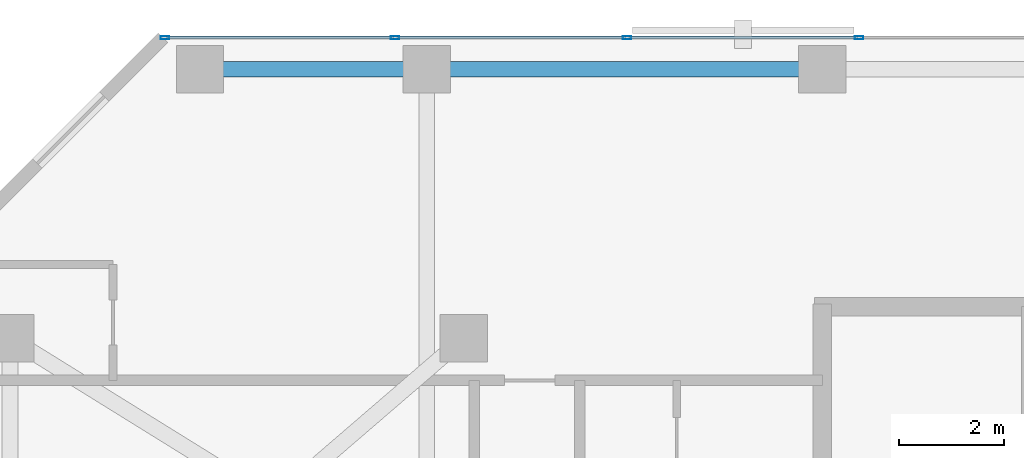
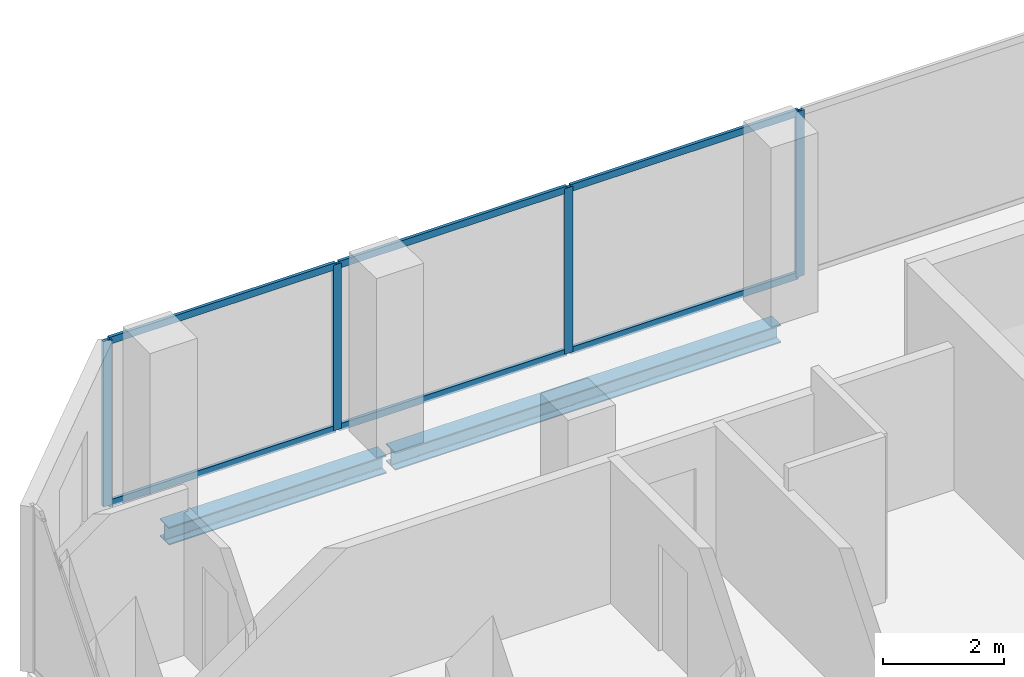
# One storey, part 19 of 34: 10 members, 2 beams, 1 element without a shape of its own.
"""IFC4 building model written with IfcOpenShell, lengths in metres."""

from ifc_helpers import new_model, si_unit, direction, frame, origin, origin_2d, place, context, subcontext, project, spatial, hollow_rectangle, i_section, extrude, material, layer, layer_set, material_profile, profile_set, type_object, element, aggregate, save


model = new_model("IFC4")

# Units and contexts
model_context = context("Model", 3, precision=1e-05, world=origin(), true_north=direction((0.0, 1.0)))
body_context = subcontext(model_context, "Body", "Model", "MODEL_VIEW")
ifc_project = project(units=[si_unit("LENGTHUNIT", "METRE"), si_unit("AREAUNIT", "SQUARE_METRE"), si_unit("VOLUMEUNIT", "CUBIC_METRE"), si_unit("PLANEANGLEUNIT", "RADIAN"), si_unit("MASSUNIT", "GRAM", prefix="KILO")], contexts=[model_context])

# Site, building, storey
site_placement = place(None, origin())
site = spatial("IfcSite", under=ifc_project, at=site_placement, CompositionType="ELEMENT")
building_placement = place(site_placement, origin())
building = spatial("IfcBuilding", under=site, at=building_placement, Name="Catumbela Crestline Tower", CompositionType="ELEMENT")
storey_placement = place(building_placement, frame((0.0, 0.0, 111.6)))
storey = spatial("IfcBuildingStorey", under=building, at=storey_placement, Name="L28", CompositionType="ELEMENT", Elevation=111.6)

# Curtain wall, members
ifc_material_1 = material(Name="Aluminium alloy AW-6060-T66", Category="aluminium")
ifc_layer = layer(ifc_material_1, 0.18, Name="Aluminium alloy AW-6060-T66")
ifc_layer_set = layer_set([ifc_layer], Name="Aluminium alloy AW-6060-T66")
curtain_wall_type = type_object("IfcCurtainWallType", Name="CWU-Z2", PredefinedType="USERDEFINED", material=ifc_layer_set)
curtain_wall_placement = place(storey_placement, origin())
curtain_wall = element("IfcCurtainWall", 1, at=curtain_wall_placement, inside=storey, type_object=curtain_wall_type, Name="L28 Unitised Curtain Wall CW-L28-E7S1", ObjectType="UNITISED", PredefinedType="USERDEFINED")
ifc_material_profile_1 = material_profile(ifc_material_1, hollow_rectangle(XDim=0.06, YDim=0.16, WallThickness=0.004, at=origin_2d()), Name="ALU 160x60x4")
ifc_profile_set_1 = profile_set([ifc_material_profile_1], Name="Aluminium alloy AW-6060-T66")
member_type_1 = type_object("IfcMemberType", Name="MUL-160X60", PredefinedType="MULLION", material=ifc_profile_set_1)
member_1_placement = place(storey_placement, frame((16.7, 48.0, 0.0), z_axis=(0.0, 0.0, 1.0), x_axis=(0.0, -1.0, 0.0)))
member_1 = element("IfcMember", 2, at=member_1_placement, type_object=member_type_1, Name="CWU-Z2 mullion 8", PredefinedType="MULLION", context=body_context, shape_type="SweptSolid", body=[
    extrude(hollow_rectangle(XDim=0.06, YDim=0.16, WallThickness=0.004, at=origin_2d()), origin(), (0.0, 0.0, 1.0), 3.33),
])
member_2_placement = place(storey_placement, frame((12.3, 48.0, 0.0), z_axis=(0.0, 0.0, 1.0), x_axis=(0.0, -1.0, 0.0)))
member_2 = element("IfcMember", 3, at=member_2_placement, type_object=member_type_1, Name="CWU-Z2 mullion 9", PredefinedType="MULLION", context=body_context, shape_type="SweptSolid", body=[
    extrude(hollow_rectangle(XDim=0.06, YDim=0.16, WallThickness=0.004, at=origin_2d()), origin(), (0.0, 0.0, 1.0), 3.33),
])
member_3_placement = place(storey_placement, frame((7.9, 48.0, 0.0), z_axis=(0.0, 0.0, 1.0), x_axis=(0.0, -1.0, 0.0)))
member_3 = element("IfcMember", 4, at=member_3_placement, type_object=member_type_1, Name="CWU-Z2 mullion 10", PredefinedType="MULLION", context=body_context, shape_type="SweptSolid", body=[
    extrude(hollow_rectangle(XDim=0.06, YDim=0.16, WallThickness=0.004, at=origin_2d()), origin(), (0.0, 0.0, 1.0), 3.33),
])
member_4_placement = place(storey_placement, frame((3.5325, 48.0, 0.0), z_axis=(0.0, 0.0, 1.0), x_axis=(0.0, -1.0, 0.0)))
member_4 = element("IfcMember", 5, at=member_4_placement, type_object=member_type_1, Name="CWU-Z2 mullion 11", PredefinedType="MULLION", context=body_context, shape_type="SweptSolid", body=[
    extrude(hollow_rectangle(XDim=0.06, YDim=0.16, WallThickness=0.004, at=origin_2d()), origin(), (0.0, 0.0, 1.0), 3.33),
])

# Beams
ifc_material_2 = material(Name="Structural steel S355J2", Category="steel")
ifc_material_profile_2 = material_profile(ifc_material_2, i_section(OverallWidth=0.3, OverallDepth=0.36, WebThickness=0.0125, FlangeThickness=0.0225, FilletRadius=0.027, at=origin_2d()), Name="HEB 360")
ifc_profile_set_2 = profile_set([ifc_material_profile_2], Name="Structural steel S355J2")
beam_type = type_object("IfcBeamType", Name="BS-HEB360", PredefinedType="SPANDREL", material=ifc_profile_set_2)
beam_1_placement = place(storey_placement, frame((4.28, 47.4, -0.44), z_axis=(1.0, 0.0, 0.0), x_axis=(0.0, 1.0, 0.0)))
element("IfcBeam", 6, at=beam_1_placement, inside=storey, type_object=beam_type, Name="L28 Spandrel SP-L28-NF17", PredefinedType="SPANDREL", context=body_context, shape_type="SweptSolid", body=[
    extrude(i_section(OverallWidth=0.3, OverallDepth=0.36, WebThickness=0.0125, FlangeThickness=0.0225, FilletRadius=0.027, at=origin_2d()), origin(), (0.0, 0.0, 1.0), 4.14),
])
beam_2_placement = place(storey_placement, frame((8.58, 47.4, -0.44), z_axis=(1.0, 0.0, 0.0), x_axis=(0.0, 1.0, 0.0)))
element("IfcBeam", 7, at=beam_2_placement, inside=storey, type_object=beam_type, Name="L28 Spandrel SP-L28-NF18", PredefinedType="SPANDREL", context=body_context, shape_type="SweptSolid", body=[
    extrude(i_section(OverallWidth=0.3, OverallDepth=0.36, WebThickness=0.0125, FlangeThickness=0.0225, FilletRadius=0.027, at=origin_2d()), origin(), (0.0, 0.0, 1.0), 7.34),
])

# Member
ifc_material_profile_3 = material_profile(ifc_material_1, hollow_rectangle(XDim=0.06, YDim=0.14, WallThickness=0.004, at=origin_2d()), Name="ALU 140x60x4")
ifc_profile_set_3 = profile_set([ifc_material_profile_3], Name="Aluminium alloy AW-6060-T66")
member_type_2 = type_object("IfcMemberType", Name="TRN-140X60", PredefinedType="USERDEFINED", material=ifc_profile_set_3)
member_5_placement = place(storey_placement, frame((16.6675, 48.0, 0.03), z_axis=(-1.0, 0.0, 0.0), x_axis=(0.0, -1.0, 0.0)))
member_5 = element("IfcMember", 8, at=member_5_placement, type_object=member_type_2, Name="CWU-Z2 transom 8.1", ObjectType="TRANSOM", PredefinedType="USERDEFINED", context=body_context, shape_type="SweptSolid", body=[
    extrude(hollow_rectangle(XDim=0.06, YDim=0.14, WallThickness=0.004, at=origin_2d()), origin(), (0.0, 0.0, 1.0), 4.335),
])

member_6_placement = place(storey_placement, frame((16.6675, 48.0, 3.3), z_axis=(-1.0, 0.0, 0.0), x_axis=(0.0, -1.0, 0.0)))
member_6 = element("IfcMember", 9, at=member_6_placement, type_object=member_type_2, Name="CWU-Z2 transom 8.2", ObjectType="TRANSOM", PredefinedType="USERDEFINED", context=body_context, shape_type="SweptSolid", body=[
    extrude(hollow_rectangle(XDim=0.06, YDim=0.14, WallThickness=0.004, at=origin_2d()), origin(), (0.0, 0.0, 1.0), 4.335),
])

member_7_placement = place(storey_placement, frame((12.2675, 48.0, 0.03), z_axis=(-1.0, 0.0, 0.0), x_axis=(0.0, -1.0, 0.0)))
member_7 = element("IfcMember", 10, at=member_7_placement, type_object=member_type_2, Name="CWU-Z2 transom 9.1", ObjectType="TRANSOM", PredefinedType="USERDEFINED", context=body_context, shape_type="SweptSolid", body=[
    extrude(hollow_rectangle(XDim=0.06, YDim=0.14, WallThickness=0.004, at=origin_2d()), origin(), (0.0, 0.0, 1.0), 4.335),
])

member_8_placement = place(storey_placement, frame((12.2675, 48.0, 3.3), z_axis=(-1.0, 0.0, 0.0), x_axis=(0.0, -1.0, 0.0)))
member_8 = element("IfcMember", 11, at=member_8_placement, type_object=member_type_2, Name="CWU-Z2 transom 9.2", ObjectType="TRANSOM", PredefinedType="USERDEFINED", context=body_context, shape_type="SweptSolid", body=[
    extrude(hollow_rectangle(XDim=0.06, YDim=0.14, WallThickness=0.004, at=origin_2d()), origin(), (0.0, 0.0, 1.0), 4.335),
])

member_9_placement = place(storey_placement, frame((7.8675, 48.0, 0.03), z_axis=(-1.0, 0.0, 0.0), x_axis=(0.0, -1.0, 0.0)))
member_9 = element("IfcMember", 12, at=member_9_placement, type_object=member_type_2, Name="CWU-Z2 transom 10.1", ObjectType="TRANSOM", PredefinedType="USERDEFINED", context=body_context, shape_type="SweptSolid", body=[
    extrude(hollow_rectangle(XDim=0.06, YDim=0.14, WallThickness=0.004, at=origin_2d()), origin(), (0.0, 0.0, 1.0), 4.3025),
])

member_10_placement = place(storey_placement, frame((7.8675, 48.0, 3.3), z_axis=(-1.0, 0.0, 0.0), x_axis=(0.0, -1.0, 0.0)))
member_10 = element("IfcMember", 13, at=member_10_placement, type_object=member_type_2, Name="CWU-Z2 transom 10.2", ObjectType="TRANSOM", PredefinedType="USERDEFINED", context=body_context, shape_type="SweptSolid", body=[
    extrude(hollow_rectangle(XDim=0.06, YDim=0.14, WallThickness=0.004, at=origin_2d()), origin(), (0.0, 0.0, 1.0), 4.3025),
])

aggregate(curtain_wall, [member_1, member_2, member_3, member_4, member_5, member_6, member_7, member_8, member_9, member_10])

save(model, "model.ifc")
